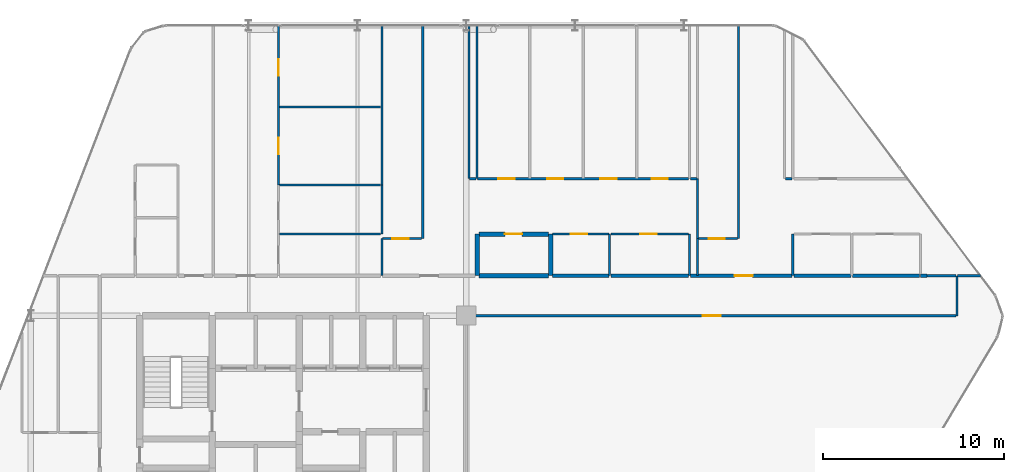
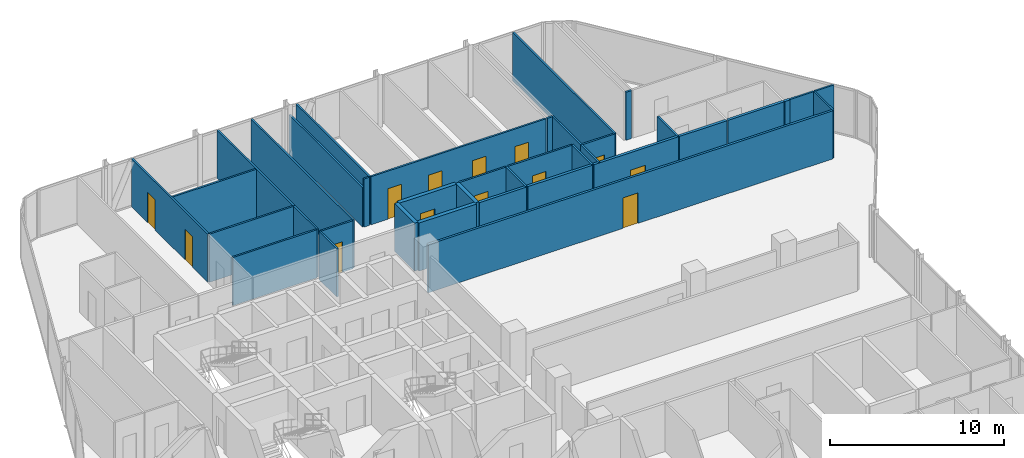
# One storey, part 27 of 29: 38 walls, 13 doors, 13 openings.
"""IFC4 building model written with IfcOpenShell, lengths in metres."""

import ifcopenshell
import ifcopenshell.guid

model = None  # the IFC model being written
_history = None  # IfcOwnerHistory: only IFC2X3 demands one
_inside = {}  # id of a spatial element -> (the spatial element, [elements in it])
_under = {}  # id of a project, library or spatial element -> (it, [spatial elements below it])
_declared = {}  # id of a project -> (the project, [libraries it declares])
_typed = {}  # id of a type object -> (the type object, [elements of that type])
_made_of = {}  # id of a material, layer set ... -> (it, [elements and type objects made of it])


def new_model(schema):
    """Start an empty IFC model of exactly this schema.

    Asked for "IFC4X3", IfcOpenShell would pick the latest addendum, in which some entities
    have other attributes; the version numbers below select the first issue.
    IFC2X3 requires an IfcOwnerHistory on every rooted entity: one is made here for all.
    """
    global model, _history
    if schema == "IFC4X3":
        model = ifcopenshell.file(schema_version=(4, 3, 0, 0))
    else:
        model = ifcopenshell.file(schema=schema)
    _inside.clear()
    _under.clear()
    _declared.clear()
    _typed.clear()
    _made_of.clear()
    _history = None
    if model.schema == "IFC2X3":
        org = make("IfcOrganization", Name="unknown")
        user = make(
            "IfcPersonAndOrganization",
            ThePerson=make("IfcPerson", FamilyName="unknown"),
            TheOrganization=org,
        )
        app = make(
            "IfcApplication",
            ApplicationDeveloper=org,
            Version="unknown",
            ApplicationFullName="unknown",
            ApplicationIdentifier="unknown",
        )
        _history = make(
            "IfcOwnerHistory",
            OwningUser=user,
            OwningApplication=app,
            ChangeAction="ADDED",
            CreationDate=0,
        )
    return model


def make(cls, **values):
    """One entity of the class cls with the attributes given. An attribute that is None is left unset."""
    return model.create_entity(
        cls, **{name: value for name, value in values.items() if value is not None}
    )


def rooted(cls, **values):
    """An entity with a GlobalId (a new one), such as an element, a storey or a relation."""
    return make(cls, GlobalId=ifcopenshell.guid.new(), OwnerHistory=_history, **values)


def si_unit(unit_type, name, prefix=None):
    """IfcSIUnit, for example si_unit("LENGTHUNIT", "METRE", prefix="MILLI")."""
    return make("IfcSIUnit", UnitType=unit_type, Prefix=prefix, Name=name)


def assignment(units):
    """IfcUnitAssignment: the units of a project."""
    return None if units is None else make("IfcUnitAssignment", Units=units)


def point(xyz):
    """IfcCartesianPoint."""
    return None if xyz is None else make("IfcCartesianPoint", Coordinates=xyz)


def direction(xyz):
    """IfcDirection."""
    return None if xyz is None else make("IfcDirection", DirectionRatios=xyz)


def frame(location, z_axis=None, x_axis=None):
    """IfcAxis2Placement3D, a coordinate frame: its origin and axes. An axis left out is left unset."""
    return make(
        "IfcAxis2Placement3D",
        Location=point(location),
        Axis=direction(z_axis),
        RefDirection=direction(x_axis),
    )


def frame_2d(location, x_axis=None):
    """IfcAxis2Placement2D, a coordinate frame in the plane: its origin and x axis."""
    return make(
        "IfcAxis2Placement2D", Location=point(location), RefDirection=direction(x_axis)
    )


def origin():
    """The frame at (0, 0, 0) with its axes left unset."""
    return frame((0.0, 0.0, 0.0))


def place(relative_to, where):
    """IfcLocalPlacement: puts the frame where relative to a parent placement (None: the world)."""
    return make(
        "IfcLocalPlacement", PlacementRelTo=relative_to, RelativePlacement=where
    )


def context(
    kind, dimensions, precision=None, world=None, true_north=None, identifier=None
):
    """IfcGeometricRepresentationContext, for example the 3D "Model" context."""
    return make(
        "IfcGeometricRepresentationContext",
        ContextIdentifier=identifier,
        ContextType=kind,
        CoordinateSpaceDimension=dimensions,
        Precision=precision,
        WorldCoordinateSystem=world,
        TrueNorth=true_north,
    )


def subcontext(parent, identifier, kind, view, scale=None):
    """IfcGeometricRepresentationSubContext, for example "Body" below "Model"."""
    return make(
        "IfcGeometricRepresentationSubContext",
        ContextIdentifier=identifier,
        ContextType=kind,
        ParentContext=parent,
        TargetScale=scale,
        TargetView=view,
    )


def project(units=None, contexts=None):
    """IfcProject with its units and contexts."""
    return rooted(
        "IfcProject",
        Name="project",
        RepresentationContexts=contexts,
        UnitsInContext=assignment(units),
    )


def spatial(cls, under=None, at=None, **own):
    """A site, building, storey or space (cls), placed at a placement, below another one or the project."""
    s = rooted(cls, ObjectPlacement=at, **own)
    if under is not None:
        _under.setdefault(under.id(), (under, []))[1].append(s)
    return s


def profile(cls, at=None, kind="AREA", **sizes):
    """A parametric profile (cls). Its sizes go by their IFC names, for example OverallWidth=200.0."""
    return make(cls, ProfileType=kind, Position=at, **sizes)


def rectangle(**sizes):
    """IfcRectangleProfileDef."""
    return profile("IfcRectangleProfileDef", **sizes)


def extrude(swept, where, along, depth):
    """IfcExtrudedAreaSolid: the profile swept, set in the frame where, extruded along a direction by depth."""
    return make(
        "IfcExtrudedAreaSolid",
        SweptArea=swept,
        Position=where,
        ExtrudedDirection=direction(along),
        Depth=depth,
    )


def shape(context_of_items, identifier, shape_type, items):
    """IfcShapeRepresentation: the items that make up one representation, for example the "Body"."""
    return make(
        "IfcShapeRepresentation",
        ContextOfItems=context_of_items,
        RepresentationIdentifier=identifier,
        RepresentationType=shape_type,
        Items=items,
    )


def material(Name=None, Category=None):
    """IfcMaterial."""
    return make("IfcMaterial", Name=Name, Category=Category)


def layer(
    of_material, thickness, ventilated=None, Name=None, Category=None, Priority=None
):
    """IfcMaterialLayer: one layer of a wall or slab, of a material (None: an air gap)."""
    return make(
        "IfcMaterialLayer",
        Material=of_material,
        LayerThickness=thickness,
        IsVentilated=ventilated,
        Name=Name,
        Category=Category,
        Priority=Priority,
    )


def layer_set(layers, Name=None):
    """IfcMaterialLayerSet."""
    return make("IfcMaterialLayerSet", MaterialLayers=layers, LayerSetName=Name)


def made_of(thing, what):
    """Note that an element or type object is made of a material, layer set ...; save() writes the relation."""
    if what is not None:
        _made_of.setdefault(what.id(), (what, []))[1].append(thing)
    return thing


def type_object(cls, material=None, **own):
    """A type object (cls), such as IfcWallType, which elements share."""
    return made_of(rooted(cls, **own), material)


def element(
    cls,
    number,
    at=None,
    inside=None,
    cuts=None,
    type_object=None,
    material=None,
    context=None,
    identifier="Body",
    shape_type=None,
    held_by="IfcProductDefinitionShape",
    body=None,
    shapes=None,
    **own,
):
    """One element of the class cls, such as IfcWall. Its Tag is "e" and its number.

    at: its placement. inside: the storey or other place that contains it. cuts: it is an
    opening in that element (IfcRelVoidsElement). A single representation is given by context,
    identifier, shape_type and body (its items); several are given by shapes. held_by: the class
    of the entity that holds the representations. save() writes the other relations.
    """
    e = rooted(cls, Tag="e%d" % number, ObjectPlacement=at, **own)
    if body is not None:
        shapes = [shape(context, identifier, shape_type, body)]
    if shapes is not None:
        e.Representation = make(held_by, Representations=shapes)
    if inside is not None:
        _inside.setdefault(inside.id(), (inside, []))[1].append(e)
    if cuts is not None:
        rooted(
            "IfcRelVoidsElement", RelatingBuildingElement=cuts, RelatedOpeningElement=e
        )
    if type_object is not None:
        _typed.setdefault(type_object.id(), (type_object, []))[1].append(e)
    return made_of(e, material)


def fill(opening, filler):
    """IfcRelFillsElement: the door or window that sits in an opening."""
    return rooted(
        "IfcRelFillsElement",
        RelatingOpeningElement=opening,
        RelatedBuildingElement=filler,
    )


def aggregate(whole, parts):
    """IfcRelAggregates: a whole, such as a stair, and the parts it consists of."""
    return rooted("IfcRelAggregates", RelatingObject=whole, RelatedObjects=parts)


def save(model, path):
    """Write the relations noted so far, then the file.

    IfcRelAggregates (storeys below a building ...), IfcRelContainedInSpatialStructure (elements
    in a storey), IfcRelDefinesByType, IfcRelAssociatesMaterial and IfcRelDeclares: one each for
    every whole, place, type object, material and project.
    """
    for whole, parts in _under.values():
        aggregate(whole, parts)
    for where, things in _inside.values():
        rooted(
            "IfcRelContainedInSpatialStructure",
            RelatedElements=things,
            RelatingStructure=where,
        )
    for kind, things in _typed.values():
        rooted("IfcRelDefinesByType", RelatedObjects=things, RelatingType=kind)
    for what, things in _made_of.values():
        rooted("IfcRelAssociatesMaterial", RelatedObjects=things, RelatingMaterial=what)
    for by, libraries in _declared.values():
        rooted("IfcRelDeclares", RelatingContext=by, RelatedDefinitions=libraries)
    model.write(path)


model = new_model("IFC4")

# Units and contexts
model_context = context("Model", 3, precision=1e-05, world=origin(), true_north=direction((0.0, 1.0)))
body_context = subcontext(model_context, "Body", "Model", "MODEL_VIEW")
ifc_project = project(units=[si_unit("LENGTHUNIT", "METRE"), si_unit("AREAUNIT", "SQUARE_METRE"), si_unit("VOLUMEUNIT", "CUBIC_METRE"), si_unit("PLANEANGLEUNIT", "RADIAN"), si_unit("MASSUNIT", "GRAM", prefix="KILO")], contexts=[model_context])

# Site, building, storey
site_placement = place(None, origin())
site = spatial("IfcSite", under=ifc_project, at=site_placement, CompositionType="ELEMENT")
building_placement = place(site_placement, origin())
building = spatial("IfcBuilding", under=site, at=building_placement, Name="Keshet Zoharim Tower", CompositionType="ELEMENT")
storey_placement = place(building_placement, frame((0.0, 0.0, 98.300048828125)))
storey = spatial("IfcBuildingStorey", under=building, at=storey_placement, Name="L23", CompositionType="ELEMENT", Elevation=98.300048828125)

# Wall, opening, door
ifc_material_1 = material(Name="Gypsum Plasterboard", Category="gypsum")
ifc_layer_1 = layer(ifc_material_1, 0.14990234375)
ifc_layer_set_1 = layer_set([ifc_layer_1], Name="Gypsum Plasterboard")
wall_type_1 = type_object("IfcWallType", Name="WL-CLIN-150", PredefinedType="STANDARD", material=ifc_layer_set_1)
wall_1_placement = place(storey_placement, frame((33.070068359375, 37.89990234375, 0.0), z_axis=(0.0, 0.0, 1.0), x_axis=(1.0, 0.0, 0.0)))
wall_1 = element("IfcWall", 1, at=wall_1_placement, inside=storey, type_object=wall_type_1, Name="L23 Interior Wall 179", PredefinedType="STANDARD", context=body_context, shape_type="SweptSolid", body=[
    extrude(rectangle(XDim=26.934814453125, YDim=0.14990234375, at=frame_2d((13.46728515625, 0.0))), origin(), (0.0, 0.0, 1.0), 3.385009765625),
])
opening_1_placement = place(wall_1_placement, frame((12.9599609375, 0.0, 0.0)))
opening_1 = element("IfcOpeningElement", 2, at=opening_1_placement, cuts=wall_1, Name="Opening D-F310", PredefinedType="OPENING", context=body_context, shape_type="SweptSolid", body=[
    extrude(rectangle(XDim=1.0, YDim=2.14990234375, at=frame_2d((0.5, 1.074951171875))), frame((0.0, 0.0849609375, 0.0), z_axis=(0.0, -1.0, 0.0), x_axis=(1.0, 0.0, 0.0)), (0.0, 0.0, 1.0), 0.169921875),
])
ifc_material_2 = material(Name="Hardwood Timber", Category="wood")
door_type_1 = type_object("IfcDoorType", Name="DR-FD30-100", OperationType="NOTDEFINED", PredefinedType="DOOR", material=ifc_material_2)
door_1_placement = place(opening_1_placement, origin())
door_1 = element("IfcDoor", 3, at=door_1_placement, inside=storey, type_object=door_type_1, Name="L23 North East Residents Services Suite Door 1", OperationType="SINGLE_SWING_RIGHT", OverallHeight=2.14990234375, OverallWidth=1.0, PredefinedType="DOOR", context=body_context, shape_type="SweptSolid", body=[
    extrude(rectangle(XDim=1.0, YDim=2.14990234375, at=frame_2d((0.5, 1.074951171875))), frame((0.0, 0.02490234375, 0.0), z_axis=(0.0, -1.0, 0.0), x_axis=(1.0, 0.0, 0.0)), (0.0, 0.0, 1.0), 0.050048828125),
])
fill(opening_1, door_1)

# Walls
ifc_layer_2 = layer(ifc_material_1, 0.179931640625)
ifc_layer_set_2 = layer_set([ifc_layer_2], Name="Gypsum Plasterboard")
wall_type_2 = type_object("IfcWallType", Name="WL-CORR-180", PredefinedType="STANDARD", material=ifc_layer_set_2)
wall_2_placement = place(storey_placement, frame((37.7490234375, 40.10009765625, 0.0), z_axis=(0.0, 0.0, 1.0), x_axis=(1.0, 0.0, 0.0)))
element("IfcWall", 4, at=wall_2_placement, inside=storey, type_object=wall_type_2, Name="L23 Interior Wall 189", PredefinedType="STANDARD", context=body_context, shape_type="SweptSolid", body=[
    extrude(rectangle(XDim=3.12890625, YDim=0.179931640625, at=frame_2d((1.564453125, 0.0))), origin(), (0.0, 0.0, 1.0), 3.385009765625),
])
wall_3_placement = place(storey_placement, frame((40.968017578125, 40.10009765625, 0.0), z_axis=(0.0, 0.0, 1.0), x_axis=(1.0, 0.0, 0.0)))
element("IfcWall", 5, at=wall_3_placement, inside=storey, type_object=wall_type_2, Name="L23 Interior Wall 190", PredefinedType="STANDARD", context=body_context, shape_type="SweptSolid", body=[
    extrude(rectangle(XDim=4.296875, YDim=0.179931640625, at=frame_2d((2.1484375, 0.0))), origin(), (0.0, 0.0, 1.0), 3.385009765625),
])

# Wall, opening, door
wall_4_placement = place(storey_placement, frame((45.35498046875, 40.10009765625, 0.0), z_axis=(0.0, 0.0, 1.0), x_axis=(1.0, 0.0, 0.0)))
wall_4 = element("IfcWall", 6, at=wall_4_placement, inside=storey, type_object=wall_type_2, Name="L23 Interior Wall 191", PredefinedType="STANDARD", context=body_context, shape_type="SweptSolid", body=[
    extrude(rectangle(XDim=5.610107421875, YDim=0.179931640625, at=frame_2d((2.80517578125, 0.0))), origin(), (0.0, 0.0, 1.0), 3.385009765625),
])
opening_2_placement = place(wall_4_placement, frame((2.43505859375, 0.0, 0.0)))
opening_2 = element("IfcOpeningElement", 7, at=opening_2_placement, cuts=wall_4, Name="Opening D-F310", PredefinedType="OPENING", context=body_context, shape_type="SweptSolid", body=[
    extrude(rectangle(XDim=1.0, YDim=2.14990234375, at=frame_2d((0.5, 1.074951171875))), frame((0.0, 0.10009765625, 0.0), z_axis=(0.0, -1.0, 0.0), x_axis=(1.0, 0.0, 0.0)), (0.0, 0.0, 1.0), 0.199951171875),
])
door_2_placement = place(opening_2_placement, origin())
door_2 = element("IfcDoor", 8, at=door_2_placement, inside=storey, type_object=door_type_1, Name="Apartment 2307 Entrance Door", OperationType="SINGLE_SWING_RIGHT", OverallHeight=2.14990234375, OverallWidth=1.0, PredefinedType="DOOR", context=body_context, shape_type="SweptSolid", body=[
    extrude(rectangle(XDim=1.0, YDim=2.14990234375, at=frame_2d((0.5, 1.074951171875))), frame((0.0, 0.02490234375, 0.0), z_axis=(0.0, -1.0, 0.0), x_axis=(1.0, 0.0, 0.0)), (0.0, 0.0, 1.0), 0.050048828125),
])
fill(opening_2, door_2)

# Walls
wall_5_placement = place(storey_placement, frame((51.054931640625, 40.10009765625, 0.0), z_axis=(0.0, 0.0, 1.0), x_axis=(1.0, 0.0, 0.0)))
element("IfcWall", 9, at=wall_5_placement, inside=storey, type_object=wall_type_2, Name="L23 Interior Wall 192", PredefinedType="STANDARD", context=body_context, shape_type="SweptSolid", body=[
    extrude(rectangle(XDim=3.14306640625, YDim=0.179931640625, at=frame_2d((1.571533203125, 0.0))), origin(), (0.0, 0.0, 1.0), 3.385009765625),
])
wall_6_placement = place(storey_placement, frame((54.2880859375, 40.10009765625, 0.0), z_axis=(0.0, 0.0, 1.0), x_axis=(1.0, 0.0, 0.0)))
element("IfcWall", 10, at=wall_6_placement, inside=storey, type_object=wall_type_2, Name="L23 Interior Wall 193", PredefinedType="STANDARD", context=body_context, shape_type="SweptSolid", body=[
    extrude(rectangle(XDim=3.704833984375, YDim=0.179931640625, at=frame_2d((1.8525390625, 0.0))), origin(), (0.0, 0.0, 1.0), 3.385009765625),
])
wall_7_placement = place(storey_placement, frame((58.050048828125, 40.10009765625, 0.0), z_axis=(0.0, 0.0, 1.0), x_axis=(1.0, 0.0, 0.0)))
element("IfcWall", 11, at=wall_7_placement, inside=storey, type_object=wall_type_2, Name="L23 Interior Wall 194", PredefinedType="STANDARD", context=body_context, shape_type="SweptSolid", body=[
    extrude(rectangle(XDim=0.349853515625, YDim=0.179931640625, at=frame_2d((0.1748046875, 0.0))), origin(), (0.0, 0.0, 1.0), 3.385009765625),
])
ifc_material_3 = material(Name="Concrete C50/60", Category="concrete")
ifc_layer_3 = layer(ifc_material_3, 0.25)
ifc_layer_set_3 = layer_set([ifc_layer_3], Name="Concrete C50/60")
wall_type_3 = type_object("IfcWallType", Name="WL-MAMAD-250", PredefinedType="STANDARD", material=ifc_layer_set_3)
for number, where, z_axis, x_axis, name in (
    (12, (33.60009765625, 40.10009765625, 0.0), (0.0, 0.0, 1.0), (0.0, 1.0, 0.0), "L23 Interior Wall 073"),
    (13, (37.64990234375, 40.10009765625, 0.0), (0.0, 0.0, 1.0), (0.0, 1.0, 0.0), "L23 Interior Wall 079"),
):
    element("IfcWall", number, at=place(storey_placement, frame(where, z_axis=z_axis, x_axis=x_axis)), inside=storey, type_object=wall_type_3, Name=name, PredefinedType="STANDARD", context=body_context, shape_type="SweptSolid", body=[
        extrude(rectangle(XDim=2.2998046875, YDim=0.25, at=frame_2d((1.14990234375, 0.0))), origin(), (0.0, 0.0, 1.0), 3.385009765625),
    ])
wall_8_placement = place(storey_placement, frame((33.68994140625, 40.10009765625, 0.0), z_axis=(0.0, 0.0, 1.0), x_axis=(1.0, 0.0, 0.0)))
element("IfcWall", 14, at=wall_8_placement, inside=storey, type_object=wall_type_3, Name="L23 Interior Wall 188", PredefinedType="STANDARD", context=body_context, shape_type="SweptSolid", body=[
    extrude(rectangle(XDim=3.839111328125, YDim=0.25, at=frame_2d((1.91943359375, 0.0))), origin(), (0.0, 0.0, 1.0), 3.385009765625),
])

# Wall, opening, door
wall_9_placement = place(storey_placement, frame((33.68994140625, 42.39990234375, 0.0), z_axis=(0.0, 0.0, 1.0), x_axis=(1.0, 0.0, 0.0)))
wall_9 = element("IfcWall", 15, at=wall_9_placement, inside=storey, type_object=wall_type_3, Name="L23 Interior Wall 200", PredefinedType="STANDARD", context=body_context, shape_type="SweptSolid", body=[
    extrude(rectangle(XDim=3.839111328125, YDim=0.25, at=frame_2d((1.91943359375, 0.0))), origin(), (0.0, 0.0, 1.0), 3.385009765625),
])
opening_3_placement = place(wall_9_placement, frame((1.445068359375, 0.0, 0.0)))
opening_3 = element("IfcOpeningElement", 16, at=opening_3_placement, cuts=wall_9, Name="Opening D-F695", PredefinedType="OPENING", context=body_context, shape_type="SweptSolid", body=[
    extrude(rectangle(XDim=0.949951171875, YDim=2.14990234375, at=frame_2d((0.47509765625, 1.074951171875))), frame((0.0, 0.135009765625, 0.0), z_axis=(0.0, -1.0, 0.0), x_axis=(1.0, 0.0, 0.0)), (0.0, 0.0, 1.0), 0.27001953125),
])
door_type_2 = type_object("IfcDoorType", Name="DR-FD60-095", OperationType="NOTDEFINED", PredefinedType="DOOR", material=ifc_material_2)
door_3_placement = place(opening_3_placement, origin())
door_3 = element("IfcDoor", 17, at=door_3_placement, inside=storey, type_object=door_type_2, Name="Apartment 2306 Study and Shelter Room Door", OperationType="SINGLE_SWING_LEFT", OverallHeight=2.14990234375, OverallWidth=0.949951171875, PredefinedType="DOOR", context=body_context, shape_type="SweptSolid", body=[
    extrude(rectangle(XDim=0.949951171875, YDim=2.14990234375, at=frame_2d((0.47509765625, 1.074951171875))), frame((0.0, 0.02490234375, 0.0), z_axis=(0.0, -1.0, 0.0), x_axis=(1.0, 0.0, 0.0)), (0.0, 0.0, 1.0), 0.050048828125),
])
fill(opening_3, door_3)

# Wall, openings, doors
ifc_layer_4 = layer(ifc_material_1, 0.1201171875)
ifc_layer_set_4 = layer_set([ifc_layer_4], Name="Gypsum Plasterboard")
wall_type_4 = type_object("IfcWallType", Name="WL-PART-120", PredefinedType="PARTITIONING", material=ifc_layer_set_4)
wall_10_placement = place(storey_placement, frame((22.64990234375, 45.10009765625, 0.0), z_axis=(0.0, 0.0, 1.0), x_axis=(0.0, 1.0, 0.0)))
wall_10 = element("IfcWall", 18, at=wall_10_placement, inside=storey, type_object=wall_type_4, Name="L23 Interior Wall 033", PredefinedType="PARTITIONING", context=body_context, shape_type="SweptSolid", body=[
    extrude(rectangle(XDim=8.789794921875, YDim=0.1201171875, at=frame_2d((4.39501953125, 0.0))), origin(), (0.0, 0.0, 1.0), 3.385009765625),
])
opening_4_placement = place(wall_10_placement, frame((1.7119140625, 0.0, 0.0)))
opening_4 = element("IfcOpeningElement", 19, at=opening_4_placement, cuts=wall_10, Name="Opening D-IN90", PredefinedType="OPENING", context=body_context, shape_type="SweptSolid", body=[
    extrude(rectangle(XDim=0.89990234375, YDim=2.14990234375, at=frame_2d((0.449951171875, 1.074951171875))), frame((0.0, 0.070068359375, 0.0), z_axis=(0.0, -1.0, 0.0), x_axis=(1.0, 0.0, 0.0)), (0.0, 0.0, 1.0), 0.14013671875),
])
opening_5_placement = place(wall_10_placement, frame((6.030029296875, 0.0, 0.0)))
opening_5 = element("IfcOpeningElement", 20, at=opening_5_placement, cuts=wall_10, Name="Opening D-IN90", PredefinedType="OPENING", context=body_context, shape_type="SweptSolid", body=[
    extrude(rectangle(XDim=0.89990234375, YDim=2.14990234375, at=frame_2d((0.449951171875, 1.074951171875))), frame((0.0, 0.070068359375, 0.0), z_axis=(0.0, -1.0, 0.0), x_axis=(1.0, 0.0, 0.0)), (0.0, 0.0, 1.0), 0.14013671875),
])
door_type_3 = type_object("IfcDoorType", Name="DR-INT-090", OperationType="NOTDEFINED", PredefinedType="DOOR", material=ifc_material_2)
door_4_placement = place(opening_4_placement, origin())
door_4 = element("IfcDoor", 21, at=door_4_placement, inside=storey, type_object=door_type_3, Name="Apartment 2305 Bedroom 1 Door", OperationType="SINGLE_SWING_RIGHT", OverallHeight=2.14990234375, OverallWidth=0.89990234375, PredefinedType="DOOR", context=body_context, shape_type="SweptSolid", body=[
    extrude(rectangle(XDim=0.89990234375, YDim=2.14990234375, at=frame_2d((0.449951171875, 1.074951171875))), frame((0.0, 0.02490234375, 0.0), z_axis=(0.0, -1.0, 0.0), x_axis=(1.0, 0.0, 0.0)), (0.0, 0.0, 1.0), 0.050048828125),
])
fill(opening_4, door_4)
door_5_placement = place(opening_5_placement, origin())
door_5 = element("IfcDoor", 22, at=door_5_placement, inside=storey, type_object=door_type_3, Name="Apartment 2305 Bedroom 2 Door", OperationType="SINGLE_SWING_LEFT", OverallHeight=2.14990234375, OverallWidth=0.89990234375, PredefinedType="DOOR", context=body_context, shape_type="SweptSolid", body=[
    extrude(rectangle(XDim=0.89990234375, YDim=2.14990234375, at=frame_2d((0.449951171875, 1.074951171875))), frame((0.0, 0.02490234375, 0.0), z_axis=(0.0, -1.0, 0.0), x_axis=(1.0, 0.0, 0.0)), (0.0, 0.0, 1.0), 0.050048828125),
])
fill(opening_5, door_5)

# Walls
wall_11_placement = place(storey_placement, frame((28.35009765625, 40.10009765625, 0.0), z_axis=(0.0, 0.0, 1.0), x_axis=(0.0, 1.0, 0.0)))
element("IfcWall", 23, at=wall_11_placement, inside=storey, type_object=wall_type_4, Name="L23 Interior Wall 053", PredefinedType="PARTITIONING", context=body_context, shape_type="SweptSolid", body=[
    extrude(rectangle(XDim=2.0498046875, YDim=0.1201171875, at=frame_2d((1.02490234375, 0.0))), origin(), (0.0, 0.0, 1.0), 3.385009765625),
])
wall_12_placement = place(storey_placement, frame((28.35009765625, 45.10009765625, 0.0), z_axis=(0.0, 0.0, 1.0), x_axis=(0.0, 1.0, 0.0)))
element("IfcWall", 24, at=wall_12_placement, inside=storey, type_object=wall_type_4, Name="L23 Interior Wall 055", PredefinedType="PARTITIONING", context=body_context, shape_type="SweptSolid", body=[
    extrude(rectangle(XDim=8.789794921875, YDim=0.1201171875, at=frame_2d((4.39501953125, 0.0))), origin(), (0.0, 0.0, 1.0), 3.385009765625),
])
wall_13_placement = place(storey_placement, frame((30.60009765625, 42.14990234375, 0.0), z_axis=(0.0, 0.0, 1.0), x_axis=(0.0, 1.0, 0.0)))
element("IfcWall", 25, at=wall_13_placement, inside=storey, type_object=wall_type_4, Name="L23 Interior Wall 060", PredefinedType="PARTITIONING", context=body_context, shape_type="SweptSolid", body=[
    extrude(rectangle(XDim=11.739990234375, YDim=0.1201171875, at=frame_2d((5.8701171875, 0.0))), origin(), (0.0, 0.0, 1.0), 3.385009765625),
])
wall_14_placement = place(storey_placement, frame((33.14990234375, 45.449951171875, 0.0), z_axis=(0.0, 0.0, 1.0), x_axis=(0.0, 1.0, 0.0)))
element("IfcWall", 26, at=wall_14_placement, inside=storey, type_object=wall_type_4, Name="L23 Interior Wall 071", PredefinedType="PARTITIONING", context=body_context, shape_type="SweptSolid", body=[
    extrude(rectangle(XDim=8.43994140625, YDim=0.1201171875, at=frame_2d((4.219970703125, 0.0))), origin(), (0.0, 0.0, 1.0), 2.784912109375),
])
wall_15_placement = place(storey_placement, frame((33.60009765625, 45.449951171875, 0.0), z_axis=(0.0, 0.0, 1.0), x_axis=(0.0, 1.0, 0.0)))
element("IfcWall", 27, at=wall_15_placement, inside=storey, type_object=wall_type_4, Name="L23 Interior Wall 074", PredefinedType="PARTITIONING", context=body_context, shape_type="SweptSolid", body=[
    extrude(rectangle(XDim=8.43994140625, YDim=0.1201171875, at=frame_2d((4.219970703125, 0.0))), origin(), (0.0, 0.0, 1.0), 3.385009765625),
])
wall_16_placement = place(storey_placement, frame((45.300048828125, 40.10009765625, 0.0), z_axis=(0.0, 0.0, 1.0), x_axis=(0.0, 1.0, 0.0)))
element("IfcWall", 28, at=wall_16_placement, inside=storey, type_object=wall_type_4, Name="L23 Interior Wall 090", PredefinedType="PARTITIONING", context=body_context, shape_type="SweptSolid", body=[
    extrude(rectangle(XDim=2.2998046875, YDim=0.1201171875, at=frame_2d((1.14990234375, 0.0))), origin(), (0.0, 0.0, 1.0), 3.385009765625),
])
wall_17_placement = place(storey_placement, frame((45.75, 40.10009765625, 0.0), z_axis=(0.0, 0.0, 1.0), x_axis=(0.0, 1.0, 0.0)))
element("IfcWall", 29, at=wall_17_placement, inside=storey, type_object=wall_type_4, Name="L23 Interior Wall 092", PredefinedType="PARTITIONING", context=body_context, shape_type="SweptSolid", body=[
    extrude(rectangle(XDim=2.0498046875, YDim=0.1201171875, at=frame_2d((1.02490234375, 0.0))), origin(), (0.0, 0.0, 1.0), 3.385009765625),
])
wall_18_placement = place(storey_placement, frame((45.75, 42.14990234375, 0.0), z_axis=(0.0, 0.0, 1.0), x_axis=(0.0, 1.0, 0.0)))
element("IfcWall", 30, at=wall_18_placement, inside=storey, type_object=wall_type_4, Name="L23 Interior Wall 093", PredefinedType="PARTITIONING", context=body_context, shape_type="SweptSolid", body=[
    extrude(rectangle(XDim=3.300048828125, YDim=0.1201171875, at=frame_2d((1.64990234375, 0.0))), origin(), (0.0, 0.0, 1.0), 3.385009765625),
])
wall_19_placement = place(storey_placement, frame((48.0, 42.14990234375, 0.0), z_axis=(0.0, 0.0, 1.0), x_axis=(0.0, 1.0, 0.0)))
element("IfcWall", 31, at=wall_19_placement, inside=storey, type_object=wall_type_4, Name="L23 Interior Wall 098", PredefinedType="PARTITIONING", context=body_context, shape_type="SweptSolid", body=[
    extrude(rectangle(XDim=11.739990234375, YDim=0.1201171875, at=frame_2d((5.8701171875, 0.0))), origin(), (0.0, 0.0, 1.0), 3.385009765625),
])
wall_20_placement = place(storey_placement, frame((51.0, 40.10009765625, 0.0), z_axis=(0.0, 0.0, 1.0), x_axis=(0.0, 1.0, 0.0)))
element("IfcWall", 32, at=wall_20_placement, inside=storey, type_object=wall_type_4, Name="L23 Interior Wall 102", PredefinedType="PARTITIONING", context=body_context, shape_type="SweptSolid", body=[
    extrude(rectangle(XDim=2.2998046875, YDim=0.1201171875, at=frame_2d((1.14990234375, 0.0))), origin(), (0.0, 0.0, 1.0), 3.385009765625),
])
wall_21_placement = place(storey_placement, frame((60.050048828125, 37.889892578125, 0.0), z_axis=(0.0, 0.0, 1.0), x_axis=(0.0, 1.0, 0.0)))
element("IfcWall", 33, at=wall_21_placement, inside=storey, type_object=wall_type_4, Name="L23 Interior Wall 112", PredefinedType="PARTITIONING", context=body_context, shape_type="SweptSolid", body=[
    extrude(rectangle(XDim=2.2001953125, YDim=0.1201171875, at=frame_2d((1.10009765625, 0.0))), origin(), (0.0, 0.0, 1.0), 3.385009765625),
])
wall_22_placement = place(storey_placement, frame((58.39990234375, 40.10009765625, 0.0), z_axis=(0.0, 0.0, 1.0), x_axis=(1.0, 0.0, 0.0)))
element("IfcWall", 34, at=wall_22_placement, inside=storey, type_object=wall_type_4, Name="L23 Interior Wall 195", PredefinedType="PARTITIONING", context=body_context, shape_type="SweptSolid", body=[
    extrude(rectangle(XDim=1.60498046875, YDim=0.1201171875, at=frame_2d((0.802490234375, 0.0))), origin(), (0.0, 0.0, 1.0), 3.385009765625),
])
wall_23_placement = place(storey_placement, frame((60.094970703125, 40.10009765625, 0.0), z_axis=(0.0, 0.0, 1.0), x_axis=(1.0, 0.0, 0.0)))
element("IfcWall", 35, at=wall_23_placement, inside=storey, type_object=wall_type_4, Name="L23 Interior Wall 196", PredefinedType="PARTITIONING", context=body_context, shape_type="SweptSolid", body=[
    extrude(rectangle(XDim=1.2451171875, YDim=0.1201171875, at=frame_2d((0.62255859375, 0.0))), origin(), (0.0, 0.0, 1.0), 3.385009765625),
])

# Wall, opening, door
wall_24_placement = place(storey_placement, frame((28.375, 42.14990234375, 0.0), z_axis=(0.0, 0.0, 1.0), x_axis=(1.0, 0.0, 0.0)))
wall_24 = element("IfcWall", 36, at=wall_24_placement, inside=storey, type_object=wall_type_4, Name="L23 Interior Wall 197", PredefinedType="PARTITIONING", context=body_context, shape_type="SweptSolid", body=[
    extrude(rectangle(XDim=2.159912109375, YDim=0.1201171875, at=frame_2d((1.080078125, 0.0))), origin(), (0.0, 0.0, 1.0), 3.385009765625),
])
opening_6_placement = place(wall_24_placement, frame((0.552978515625, 0.0, 0.0)))
opening_6 = element("IfcOpeningElement", 37, at=opening_6_placement, cuts=wall_24, Name="Opening D-IN90", PredefinedType="OPENING", context=body_context, shape_type="SweptSolid", body=[
    extrude(rectangle(XDim=0.89990234375, YDim=2.14990234375, at=frame_2d((0.449951171875, 1.074951171875))), frame((0.0, 0.070068359375, 0.0), z_axis=(0.0, -1.0, 0.0), x_axis=(1.0, 0.0, 0.0)), (0.0, 0.0, 1.0), 0.14013671875),
])
door_6_placement = place(opening_6_placement, origin())
door_6 = element("IfcDoor", 38, at=door_6_placement, inside=storey, type_object=door_type_3, Name="Apartment 2306 Formal Dining Room Door", OperationType="SINGLE_SWING_LEFT", OverallHeight=2.14990234375, OverallWidth=0.89990234375, PredefinedType="DOOR", context=body_context, shape_type="SweptSolid", body=[
    extrude(rectangle(XDim=0.89990234375, YDim=2.14990234375, at=frame_2d((0.449951171875, 1.074951171875))), frame((0.0, 0.02490234375, 0.0), z_axis=(0.0, -1.0, 0.0), x_axis=(1.0, 0.0, 0.0)), (0.0, 0.0, 1.0), 0.050048828125),
])
fill(opening_6, door_6)

wall_25_placement = place(storey_placement, frame((45.804931640625, 42.14990234375, 0.0), z_axis=(0.0, 0.0, 1.0), x_axis=(1.0, 0.0, 0.0)))
wall_25 = element("IfcWall", 39, at=wall_25_placement, inside=storey, type_object=wall_type_4, Name="L23 Interior Wall 198", PredefinedType="PARTITIONING", context=body_context, shape_type="SweptSolid", body=[
    extrude(rectangle(XDim=2.16015625, YDim=0.1201171875, at=frame_2d((1.080078125, 0.0))), origin(), (0.0, 0.0, 1.0), 3.385009765625),
])
opening_7_placement = place(wall_25_placement, frame((0.552978515625, 0.0, 0.0)))
opening_7 = element("IfcOpeningElement", 40, at=opening_7_placement, cuts=wall_25, Name="Opening D-IN90", PredefinedType="OPENING", context=body_context, shape_type="SweptSolid", body=[
    extrude(rectangle(XDim=0.89990234375, YDim=2.14990234375, at=frame_2d((0.449951171875, 1.074951171875))), frame((0.0, 0.070068359375, 0.0), z_axis=(0.0, -1.0, 0.0), x_axis=(1.0, 0.0, 0.0)), (0.0, 0.0, 1.0), 0.14013671875),
])
door_7_placement = place(opening_7_placement, origin())
door_7 = element("IfcDoor", 41, at=door_7_placement, inside=storey, type_object=door_type_3, Name="Apartment 2307 Formal Dining Room Door", OperationType="SINGLE_SWING_RIGHT", OverallHeight=2.14990234375, OverallWidth=0.89990234375, PredefinedType="DOOR", context=body_context, shape_type="SweptSolid", body=[
    extrude(rectangle(XDim=0.89990234375, YDim=2.14990234375, at=frame_2d((0.449951171875, 1.074951171875))), frame((0.0, 0.02490234375, 0.0), z_axis=(0.0, -1.0, 0.0), x_axis=(1.0, 0.0, 0.0)), (0.0, 0.0, 1.0), 0.050048828125),
])
fill(opening_7, door_7)

wall_26_placement = place(storey_placement, frame((40.968017578125, 42.39990234375, 0.0), z_axis=(0.0, 0.0, 1.0), x_axis=(1.0, 0.0, 0.0)))
wall_26 = element("IfcWall", 42, at=wall_26_placement, inside=storey, type_object=wall_type_4, Name="L23 Interior Wall 202", PredefinedType="PARTITIONING", context=body_context, shape_type="SweptSolid", body=[
    extrude(rectangle(XDim=4.296875, YDim=0.1201171875, at=frame_2d((2.1484375, 0.0))), origin(), (0.0, 0.0, 1.0), 3.385009765625),
])
opening_8_placement = place(wall_26_placement, frame((1.626953125, 0.0, 0.0)))
opening_8 = element("IfcOpeningElement", 43, at=opening_8_placement, cuts=wall_26, Name="Opening D-IN90", PredefinedType="OPENING", context=body_context, shape_type="SweptSolid", body=[
    extrude(rectangle(XDim=0.89990234375, YDim=2.14990234375, at=frame_2d((0.449951171875, 1.074951171875))), frame((0.0, 0.070068359375, 0.0), z_axis=(0.0, -1.0, 0.0), x_axis=(1.0, 0.0, 0.0)), (0.0, 0.0, 1.0), 0.14013671875),
])
door_8_placement = place(opening_8_placement, origin())
door_8 = element("IfcDoor", 44, at=door_8_placement, inside=storey, type_object=door_type_3, Name="Apartment 2306 Kitchen Door", OperationType="SINGLE_SWING_LEFT", OverallHeight=2.14990234375, OverallWidth=0.89990234375, PredefinedType="DOOR", context=body_context, shape_type="SweptSolid", body=[
    extrude(rectangle(XDim=0.89990234375, YDim=2.14990234375, at=frame_2d((0.449951171875, 1.074951171875))), frame((0.0, 0.02490234375, 0.0), z_axis=(0.0, -1.0, 0.0), x_axis=(1.0, 0.0, 0.0)), (0.0, 0.0, 1.0), 0.050048828125),
])
fill(opening_8, door_8)

# Wall
wall_27_placement = place(storey_placement, frame((33.175048828125, 45.449951171875, 0.0), z_axis=(0.0, 0.0, 1.0), x_axis=(1.0, 0.0, 0.0)))
element("IfcWall", 45, at=wall_27_placement, inside=storey, type_object=wall_type_4, Name="L23 Interior Wall 207", PredefinedType="PARTITIONING", context=body_context, shape_type="SweptSolid", body=[
    extrude(rectangle(XDim=0.35986328125, YDim=0.1201171875, at=frame_2d((0.179931640625, 0.0))), origin(), (0.0, 0.0, 1.0), 3.385009765625),
])

# Wall, openings, doors
wall_28_placement = place(storey_placement, frame((33.625, 45.449951171875, 0.0), z_axis=(0.0, 0.0, 1.0), x_axis=(1.0, 0.0, 0.0)))
wall_28 = element("IfcWall", 46, at=wall_28_placement, inside=storey, type_object=wall_type_4, Name="L23 Interior Wall 208", PredefinedType="PARTITIONING", context=body_context, shape_type="SweptSolid", body=[
    extrude(rectangle(XDim=11.639892578125, YDim=0.1201171875, at=frame_2d((5.81982421875, 0.0))), origin(), (0.0, 0.0, 1.0), 3.385009765625),
])
opening_9_placement = place(wall_28_placement, frame((1.14599609375, 0.0, 0.0)))
opening_9 = element("IfcOpeningElement", 47, at=opening_9_placement, cuts=wall_28, Name="Opening D-IN90", PredefinedType="OPENING", context=body_context, shape_type="SweptSolid", body=[
    extrude(rectangle(XDim=0.89990234375, YDim=2.14990234375, at=frame_2d((0.449951171875, 1.074951171875))), frame((0.0, 0.070068359375, 0.0), z_axis=(0.0, -1.0, 0.0), x_axis=(1.0, 0.0, 0.0)), (0.0, 0.0, 1.0), 0.14013671875),
])
opening_10_placement = place(wall_28_placement, frame((3.833984375, 0.0, 0.0)))
opening_10 = element("IfcOpeningElement", 48, at=opening_10_placement, cuts=wall_28, Name="Opening D-IN90", PredefinedType="OPENING", context=body_context, shape_type="SweptSolid", body=[
    extrude(rectangle(XDim=0.89990234375, YDim=2.14990234375, at=frame_2d((0.449951171875, 1.074951171875))), frame((0.0, 0.070068359375, 0.0), z_axis=(0.0, -1.0, 0.0), x_axis=(1.0, 0.0, 0.0)), (0.0, 0.0, 1.0), 0.14013671875),
])
opening_11_placement = place(wall_28_placement, frame((6.76611328125, 0.0, 0.0)))
opening_11 = element("IfcOpeningElement", 49, at=opening_11_placement, cuts=wall_28, Name="Opening D-IN90", PredefinedType="OPENING", context=body_context, shape_type="SweptSolid", body=[
    extrude(rectangle(XDim=0.89990234375, YDim=2.14990234375, at=frame_2d((0.449951171875, 1.074951171875))), frame((0.0, 0.070068359375, 0.0), z_axis=(0.0, -1.0, 0.0), x_axis=(1.0, 0.0, 0.0)), (0.0, 0.0, 1.0), 0.14013671875),
])
opening_12_placement = place(wall_28_placement, frame((9.593994140625, 0.0, 0.0)))
opening_12 = element("IfcOpeningElement", 50, at=opening_12_placement, cuts=wall_28, Name="Opening D-IN90", PredefinedType="OPENING", context=body_context, shape_type="SweptSolid", body=[
    extrude(rectangle(XDim=0.89990234375, YDim=2.14990234375, at=frame_2d((0.449951171875, 1.074951171875))), frame((0.0, 0.070068359375, 0.0), z_axis=(0.0, -1.0, 0.0), x_axis=(1.0, 0.0, 0.0)), (0.0, 0.0, 1.0), 0.14013671875),
])
door_9_placement = place(opening_9_placement, origin())
door_9 = element("IfcDoor", 51, at=door_9_placement, inside=storey, type_object=door_type_3, Name="Apartment 2306 Bedroom 1 Door", OperationType="SINGLE_SWING_RIGHT", OverallHeight=2.14990234375, OverallWidth=0.89990234375, PredefinedType="DOOR", context=body_context, shape_type="SweptSolid", body=[
    extrude(rectangle(XDim=0.89990234375, YDim=2.14990234375, at=frame_2d((0.449951171875, 1.074951171875))), frame((0.0, 0.02490234375, 0.0), z_axis=(0.0, -1.0, 0.0), x_axis=(1.0, 0.0, 0.0)), (0.0, 0.0, 1.0), 0.050048828125),
])
fill(opening_9, door_9)
door_10_placement = place(opening_10_placement, origin())
door_10 = element("IfcDoor", 52, at=door_10_placement, inside=storey, type_object=door_type_3, Name="Apartment 2306 Bedroom 2 Door", OperationType="SINGLE_SWING_LEFT", OverallHeight=2.14990234375, OverallWidth=0.89990234375, PredefinedType="DOOR", context=body_context, shape_type="SweptSolid", body=[
    extrude(rectangle(XDim=0.89990234375, YDim=2.14990234375, at=frame_2d((0.449951171875, 1.074951171875))), frame((0.0, 0.02490234375, 0.0), z_axis=(0.0, -1.0, 0.0), x_axis=(1.0, 0.0, 0.0)), (0.0, 0.0, 1.0), 0.050048828125),
])
fill(opening_10, door_10)
door_11_placement = place(opening_11_placement, origin())
door_11 = element("IfcDoor", 53, at=door_11_placement, inside=storey, type_object=door_type_3, Name="Apartment 2306 Bedroom 3 Door", OperationType="SINGLE_SWING_RIGHT", OverallHeight=2.14990234375, OverallWidth=0.89990234375, PredefinedType="DOOR", context=body_context, shape_type="SweptSolid", body=[
    extrude(rectangle(XDim=0.89990234375, YDim=2.14990234375, at=frame_2d((0.449951171875, 1.074951171875))), frame((0.0, 0.02490234375, 0.0), z_axis=(0.0, -1.0, 0.0), x_axis=(1.0, 0.0, 0.0)), (0.0, 0.0, 1.0), 0.050048828125),
])
fill(opening_11, door_11)
door_12_placement = place(opening_12_placement, origin())
door_12 = element("IfcDoor", 54, at=door_12_placement, inside=storey, type_object=door_type_3, Name="Apartment 2306 Bedroom 4 Door", OperationType="SINGLE_SWING_LEFT", OverallHeight=2.14990234375, OverallWidth=0.89990234375, PredefinedType="DOOR", context=body_context, shape_type="SweptSolid", body=[
    extrude(rectangle(XDim=0.89990234375, YDim=2.14990234375, at=frame_2d((0.449951171875, 1.074951171875))), frame((0.0, 0.02490234375, 0.0), z_axis=(0.0, -1.0, 0.0), x_axis=(1.0, 0.0, 0.0)), (0.0, 0.0, 1.0), 0.050048828125),
])
fill(opening_12, door_12)

# Walls
for number, where, z_axis, x_axis, name in (
    (55, (45.35498046875, 45.449951171875, 0.0), (0.0, 0.0, 1.0), (1.0, 0.0, 0.0), "L23 Interior Wall 209"),
    (56, (50.60498046875, 45.449951171875, 0.0), (0.0, 0.0, 1.0), (1.0, 0.0, 0.0), "L23 Interior Wall 210"),
):
    element("IfcWall", number, at=place(storey_placement, frame(where, z_axis=z_axis, x_axis=x_axis)), inside=storey, type_object=wall_type_4, Name=name, PredefinedType="PARTITIONING", context=body_context, shape_type="SweptSolid", body=[
        extrude(rectangle(XDim=0.360107421875, YDim=0.1201171875, at=frame_2d((0.18017578125, 0.0))), origin(), (0.0, 0.0, 1.0), 3.385009765625),
    ])
wall_29_placement = place(storey_placement, frame((22.695068359375, 49.39990234375, 0.0), z_axis=(0.0, 0.0, 1.0), x_axis=(1.0, 0.0, 0.0)))
element("IfcWall", 57, at=wall_29_placement, inside=storey, type_object=wall_type_4, Name="L23 Interior Wall 213", PredefinedType="PARTITIONING", context=body_context, shape_type="SweptSolid", body=[
    extrude(rectangle(XDim=5.58984375, YDim=0.1201171875, at=frame_2d((2.794921875, 0.0))), origin(), (0.0, 0.0, 1.0), 3.385009765625),
])
ifc_layer_5 = layer(ifc_material_1, 0.1201171875)
ifc_layer_set_5 = layer_set([ifc_layer_5], Name="Gypsum Plasterboard")
wall_type_5 = type_object("IfcWallType", Name="WL-WET-120", PredefinedType="PARTITIONING", material=ifc_layer_set_5)
wall_30_placement = place(storey_placement, frame((28.35009765625, 42.39990234375, 0.0), z_axis=(0.0, 0.0, 1.0), x_axis=(0.0, 1.0, 0.0)))
element("IfcWall", 58, at=wall_30_placement, inside=storey, type_object=wall_type_5, Name="L23 Interior Wall 054", PredefinedType="PARTITIONING", context=body_context, shape_type="SweptSolid", body=[
    extrude(rectangle(XDim=2.7001953125, YDim=0.1201171875, at=frame_2d((1.35009765625, 0.0))), origin(), (0.0, 0.0, 1.0), 3.385009765625),
])
wall_31_placement = place(storey_placement, frame((40.89990234375, 40.10009765625, 0.0), z_axis=(0.0, 0.0, 1.0), x_axis=(0.0, 1.0, 0.0)))
element("IfcWall", 59, at=wall_31_placement, inside=storey, type_object=wall_type_5, Name="L23 Interior Wall 082", PredefinedType="PARTITIONING", context=body_context, shape_type="SweptSolid", body=[
    extrude(rectangle(XDim=2.2998046875, YDim=0.1201171875, at=frame_2d((1.14990234375, 0.0))), origin(), (0.0, 0.0, 1.0), 3.385009765625),
])
wall_32_placement = place(storey_placement, frame((22.695068359375, 42.39990234375, 0.0), z_axis=(0.0, 0.0, 1.0), x_axis=(1.0, 0.0, 0.0)))
element("IfcWall", 60, at=wall_32_placement, inside=storey, type_object=wall_type_5, Name="L23 Interior Wall 199", PredefinedType="PARTITIONING", context=body_context, shape_type="SweptSolid", body=[
    extrude(rectangle(XDim=5.58984375, YDim=0.1201171875, at=frame_2d((2.794921875, 0.0))), origin(), (0.0, 0.0, 1.0), 3.385009765625),
])

# Wall, opening, door
wall_33_placement = place(storey_placement, frame((37.7490234375, 42.39990234375, 0.0), z_axis=(0.0, 0.0, 1.0), x_axis=(1.0, 0.0, 0.0)))
wall_33 = element("IfcWall", 61, at=wall_33_placement, inside=storey, type_object=wall_type_5, Name="L23 Interior Wall 201", PredefinedType="PARTITIONING", context=body_context, shape_type="SweptSolid", body=[
    extrude(rectangle(XDim=3.12890625, YDim=0.1201171875, at=frame_2d((1.564453125, 0.0))), origin(), (0.0, 0.0, 1.0), 3.385009765625),
])
opening_13_placement = place(wall_33_placement, frame((1.010009765625, 0.0, 0.0)))
opening_13 = element("IfcOpeningElement", 62, at=opening_13_placement, cuts=wall_33, Name="Opening D-WT90", PredefinedType="OPENING", context=body_context, shape_type="SweptSolid", body=[
    extrude(rectangle(XDim=0.89990234375, YDim=2.10009765625, at=frame_2d((0.449951171875, 1.050048828125))), frame((0.0, 0.070068359375, 0.0), z_axis=(0.0, -1.0, 0.0), x_axis=(1.0, 0.0, 0.0)), (0.0, 0.0, 1.0), 0.14013671875),
])
door_type_4 = type_object("IfcDoorType", Name="DR-WET-090", OperationType="NOTDEFINED", PredefinedType="DOOR", material=ifc_material_2)
door_13_placement = place(opening_13_placement, origin())
door_13 = element("IfcDoor", 63, at=door_13_placement, inside=storey, type_object=door_type_4, Name="Apartment 2306 Bathroom Door", OperationType="SINGLE_SWING_RIGHT", OverallHeight=2.10009765625, OverallWidth=0.89990234375, PredefinedType="DOOR", context=body_context, shape_type="SweptSolid", body=[
    extrude(rectangle(XDim=0.89990234375, YDim=2.10009765625, at=frame_2d((0.449951171875, 1.050048828125))), frame((0.0, 0.02490234375, 0.0), z_axis=(0.0, -1.0, 0.0), x_axis=(1.0, 0.0, 0.0)), (0.0, 0.0, 1.0), 0.050048828125),
])
fill(opening_13, door_13)

# Wall
wall_34_placement = place(storey_placement, frame((22.695068359375, 45.10009765625, 0.0), z_axis=(0.0, 0.0, 1.0), x_axis=(1.0, 0.0, 0.0)))
element("IfcWall", 64, at=wall_34_placement, inside=storey, type_object=wall_type_5, Name="L23 Interior Wall 206", PredefinedType="PARTITIONING", context=body_context, shape_type="SweptSolid", body=[
    extrude(rectangle(XDim=5.58984375, YDim=0.1201171875, at=frame_2d((2.794921875, 0.0))), origin(), (0.0, 0.0, 1.0), 3.385009765625),
])

save(model, "model.ifc")
